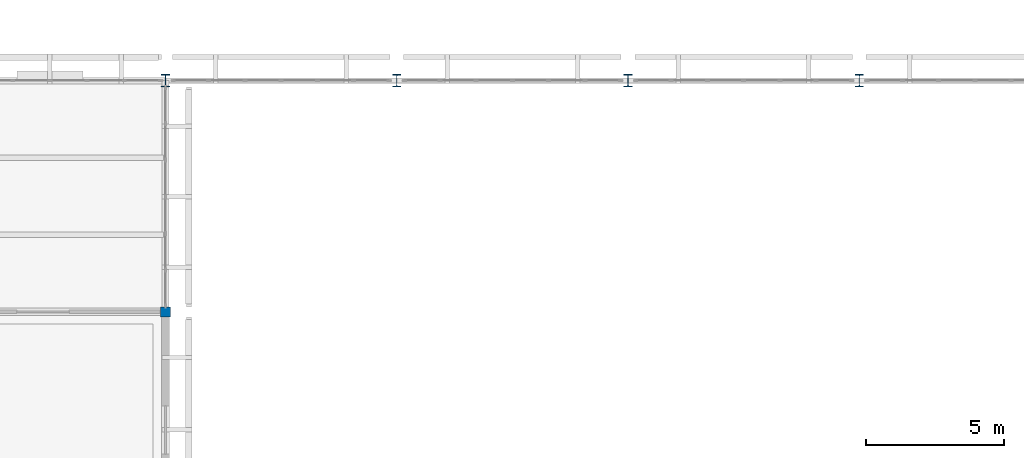
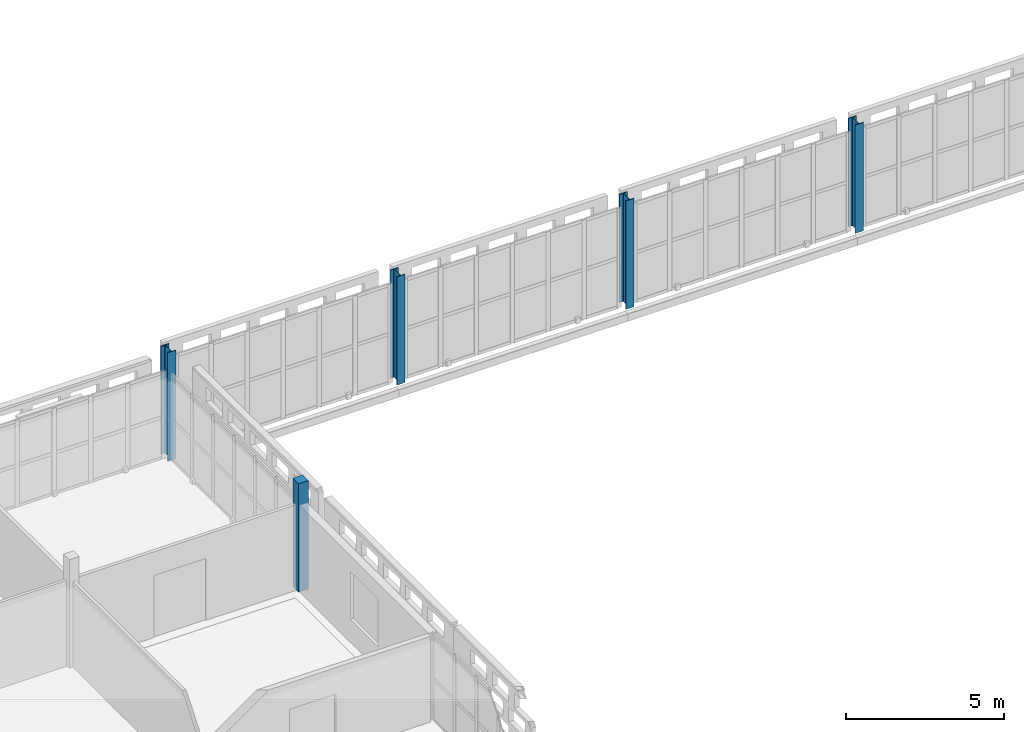
# One storey, part 7 of 140: 5 columns.
"""IFC4 building model written with IfcOpenShell, lengths in metres."""

import ifcopenshell
import ifcopenshell.guid

model = None  # the IFC model being written
_history = None  # IfcOwnerHistory: only IFC2X3 demands one
_inside = {}  # id of a spatial element -> (the spatial element, [elements in it])
_under = {}  # id of a project, library or spatial element -> (it, [spatial elements below it])
_declared = {}  # id of a project -> (the project, [libraries it declares])
_typed = {}  # id of a type object -> (the type object, [elements of that type])
_made_of = {}  # id of a material, layer set ... -> (it, [elements and type objects made of it])


def new_model(schema):
    """Start an empty IFC model of exactly this schema.

    Asked for "IFC4X3", IfcOpenShell would pick the latest addendum, in which some entities
    have other attributes; the version numbers below select the first issue.
    IFC2X3 requires an IfcOwnerHistory on every rooted entity: one is made here for all.
    """
    global model, _history
    if schema == "IFC4X3":
        model = ifcopenshell.file(schema_version=(4, 3, 0, 0))
    else:
        model = ifcopenshell.file(schema=schema)
    _inside.clear()
    _under.clear()
    _declared.clear()
    _typed.clear()
    _made_of.clear()
    _history = None
    if model.schema == "IFC2X3":
        org = make("IfcOrganization", Name="unknown")
        user = make(
            "IfcPersonAndOrganization",
            ThePerson=make("IfcPerson", FamilyName="unknown"),
            TheOrganization=org,
        )
        app = make(
            "IfcApplication",
            ApplicationDeveloper=org,
            Version="unknown",
            ApplicationFullName="unknown",
            ApplicationIdentifier="unknown",
        )
        _history = make(
            "IfcOwnerHistory",
            OwningUser=user,
            OwningApplication=app,
            ChangeAction="ADDED",
            CreationDate=0,
        )
    return model


def make(cls, **values):
    """One entity of the class cls with the attributes given. An attribute that is None is left unset."""
    return model.create_entity(
        cls, **{name: value for name, value in values.items() if value is not None}
    )


def rooted(cls, **values):
    """An entity with a GlobalId (a new one), such as an element, a storey or a relation."""
    return make(cls, GlobalId=ifcopenshell.guid.new(), OwnerHistory=_history, **values)


def si_unit(unit_type, name, prefix=None):
    """IfcSIUnit, for example si_unit("LENGTHUNIT", "METRE", prefix="MILLI")."""
    return make("IfcSIUnit", UnitType=unit_type, Prefix=prefix, Name=name)


def assignment(units):
    """IfcUnitAssignment: the units of a project."""
    return None if units is None else make("IfcUnitAssignment", Units=units)


def point(xyz):
    """IfcCartesianPoint."""
    return None if xyz is None else make("IfcCartesianPoint", Coordinates=xyz)


def direction(xyz):
    """IfcDirection."""
    return None if xyz is None else make("IfcDirection", DirectionRatios=xyz)


def frame(location, z_axis=None, x_axis=None):
    """IfcAxis2Placement3D, a coordinate frame: its origin and axes. An axis left out is left unset."""
    return make(
        "IfcAxis2Placement3D",
        Location=point(location),
        Axis=direction(z_axis),
        RefDirection=direction(x_axis),
    )


def frame_2d(location, x_axis=None):
    """IfcAxis2Placement2D, a coordinate frame in the plane: its origin and x axis."""
    return make(
        "IfcAxis2Placement2D", Location=point(location), RefDirection=direction(x_axis)
    )


def origin():
    """The frame at (0, 0, 0) with its axes left unset."""
    return frame((0.0, 0.0, 0.0))


def origin_2d():
    """The frame at (0, 0) in the plane with its x axis left unset."""
    return frame_2d((0.0, 0.0))


def place(relative_to, where):
    """IfcLocalPlacement: puts the frame where relative to a parent placement (None: the world)."""
    return make(
        "IfcLocalPlacement", PlacementRelTo=relative_to, RelativePlacement=where
    )


def context(
    kind, dimensions, precision=None, world=None, true_north=None, identifier=None
):
    """IfcGeometricRepresentationContext, for example the 3D "Model" context."""
    return make(
        "IfcGeometricRepresentationContext",
        ContextIdentifier=identifier,
        ContextType=kind,
        CoordinateSpaceDimension=dimensions,
        Precision=precision,
        WorldCoordinateSystem=world,
        TrueNorth=true_north,
    )


def subcontext(parent, identifier, kind, view, scale=None):
    """IfcGeometricRepresentationSubContext, for example "Body" below "Model"."""
    return make(
        "IfcGeometricRepresentationSubContext",
        ContextIdentifier=identifier,
        ContextType=kind,
        ParentContext=parent,
        TargetScale=scale,
        TargetView=view,
    )


def project(units=None, contexts=None):
    """IfcProject with its units and contexts."""
    return rooted(
        "IfcProject",
        Name="project",
        RepresentationContexts=contexts,
        UnitsInContext=assignment(units),
    )


def spatial(cls, under=None, at=None, **own):
    """A site, building, storey or space (cls), placed at a placement, below another one or the project."""
    s = rooted(cls, ObjectPlacement=at, **own)
    if under is not None:
        _under.setdefault(under.id(), (under, []))[1].append(s)
    return s


def profile(cls, at=None, kind="AREA", **sizes):
    """A parametric profile (cls). Its sizes go by their IFC names, for example OverallWidth=200.0."""
    return make(cls, ProfileType=kind, Position=at, **sizes)


def rectangle(**sizes):
    """IfcRectangleProfileDef."""
    return profile("IfcRectangleProfileDef", **sizes)


def i_section(**sizes):
    """IfcIShapeProfileDef."""
    return profile("IfcIShapeProfileDef", **sizes)


def extrude(swept, where, along, depth):
    """IfcExtrudedAreaSolid: the profile swept, set in the frame where, extruded along a direction by depth."""
    return make(
        "IfcExtrudedAreaSolid",
        SweptArea=swept,
        Position=where,
        ExtrudedDirection=direction(along),
        Depth=depth,
    )


def shape(context_of_items, identifier, shape_type, items):
    """IfcShapeRepresentation: the items that make up one representation, for example the "Body"."""
    return make(
        "IfcShapeRepresentation",
        ContextOfItems=context_of_items,
        RepresentationIdentifier=identifier,
        RepresentationType=shape_type,
        Items=items,
    )


def material(Name=None, Category=None):
    """IfcMaterial."""
    return make("IfcMaterial", Name=Name, Category=Category)


def material_profile(
    of_material, cross_section, Name=None, Category=None, Priority=None
):
    """IfcMaterialProfile: a cross section and its material."""
    return make(
        "IfcMaterialProfile",
        Name=Name,
        Material=of_material,
        Profile=cross_section,
        Priority=Priority,
        Category=Category,
    )


def profile_set(profiles, Name=None, composite=None):
    """IfcMaterialProfileSet."""
    return make(
        "IfcMaterialProfileSet",
        Name=Name,
        MaterialProfiles=profiles,
        CompositeProfile=composite,
    )


def made_of(thing, what):
    """Note that an element or type object is made of a material, layer set ...; save() writes the relation."""
    if what is not None:
        _made_of.setdefault(what.id(), (what, []))[1].append(thing)
    return thing


def type_object(cls, material=None, **own):
    """A type object (cls), such as IfcWallType, which elements share."""
    return made_of(rooted(cls, **own), material)


def element(
    cls,
    number,
    at=None,
    inside=None,
    cuts=None,
    type_object=None,
    material=None,
    context=None,
    identifier="Body",
    shape_type=None,
    held_by="IfcProductDefinitionShape",
    body=None,
    shapes=None,
    **own,
):
    """One element of the class cls, such as IfcWall. Its Tag is "e" and its number.

    at: its placement. inside: the storey or other place that contains it. cuts: it is an
    opening in that element (IfcRelVoidsElement). A single representation is given by context,
    identifier, shape_type and body (its items); several are given by shapes. held_by: the class
    of the entity that holds the representations. save() writes the other relations.
    """
    e = rooted(cls, Tag="e%d" % number, ObjectPlacement=at, **own)
    if body is not None:
        shapes = [shape(context, identifier, shape_type, body)]
    if shapes is not None:
        e.Representation = make(held_by, Representations=shapes)
    if inside is not None:
        _inside.setdefault(inside.id(), (inside, []))[1].append(e)
    if cuts is not None:
        rooted(
            "IfcRelVoidsElement", RelatingBuildingElement=cuts, RelatedOpeningElement=e
        )
    if type_object is not None:
        _typed.setdefault(type_object.id(), (type_object, []))[1].append(e)
    return made_of(e, material)


def aggregate(whole, parts):
    """IfcRelAggregates: a whole, such as a stair, and the parts it consists of."""
    return rooted("IfcRelAggregates", RelatingObject=whole, RelatedObjects=parts)


def save(model, path):
    """Write the relations noted so far, then the file.

    IfcRelAggregates (storeys below a building ...), IfcRelContainedInSpatialStructure (elements
    in a storey), IfcRelDefinesByType, IfcRelAssociatesMaterial and IfcRelDeclares: one each for
    every whole, place, type object, material and project.
    """
    for whole, parts in _under.values():
        aggregate(whole, parts)
    for where, things in _inside.values():
        rooted(
            "IfcRelContainedInSpatialStructure",
            RelatedElements=things,
            RelatingStructure=where,
        )
    for kind, things in _typed.values():
        rooted("IfcRelDefinesByType", RelatedObjects=things, RelatingType=kind)
    for what, things in _made_of.values():
        rooted("IfcRelAssociatesMaterial", RelatedObjects=things, RelatingMaterial=what)
    for by, libraries in _declared.values():
        rooted("IfcRelDeclares", RelatingContext=by, RelatedDefinitions=libraries)
    model.write(path)


model = new_model("IFC4")

# Units and contexts
model_context = context("Model", 3, precision=1e-05, world=origin(), true_north=direction((0.0, 1.0)))
body_context = subcontext(model_context, "Body", "Model", "MODEL_VIEW")
ifc_project = project(units=[si_unit("LENGTHUNIT", "METRE"), si_unit("AREAUNIT", "SQUARE_METRE"), si_unit("VOLUMEUNIT", "CUBIC_METRE"), si_unit("PLANEANGLEUNIT", "RADIAN"), si_unit("MASSUNIT", "GRAM", prefix="KILO")], contexts=[model_context])

# Site, building, storey
site_placement = place(None, origin())
site = spatial("IfcSite", under=ifc_project, at=site_placement, CompositionType="ELEMENT")
building_placement = place(site_placement, origin())
building = spatial("IfcBuilding", under=site, at=building_placement, Name="Varnapada Polytechnic", CompositionType="ELEMENT")
storey_placement = place(building_placement, frame((0.0, 0.0, 13.800048828125)))
storey = spatial("IfcBuildingStorey", under=building, at=storey_placement, Name="L03", CompositionType="ELEMENT", Elevation=13.800048828125)

# Columns
ifc_material_1 = material(Name="Steel S355", Category="steel")
ifc_material_profile_1 = material_profile(ifc_material_1, i_section(OverallWidth=0.300048828125, OverallDepth=0.449951171875, WebThickness=0.013916015625, FlangeThickness=0.02587890625, FilletRadius=0.027099609375, at=origin_2d()), Name="HEB 450")
ifc_profile_set_1 = profile_set([ifc_material_profile_1], Name="Steel S355")
column_type_1 = type_object("IfcColumnType", Name="Column C-07 (HEB 450)", PredefinedType="COLUMN", material=ifc_profile_set_1)
for number, where, z_axis, x_axis, name in (
    (1, (67.199951171875, 126.0, 0.0), (0.0, 0.0, 1.0), (1.0, 0.0, 0.0), "L03 column 9/16"),
    (2, (75.60009765625, 126.0, 0.0), (0.0, 0.0, 1.0), (1.0, 0.0, 0.0), "L03 column 10/16"),
    (3, (84.0, 126.0, 0.0), (0.0, 0.0, 1.0), (1.0, 0.0, 0.0), "L03 column 11/16"),
    (4, (92.39990234375, 126.0, 0.0), (0.0, 0.0, 1.0), (1.0, 0.0, 0.0), "L03 column 12/16"),
):
    element("IfcColumn", number, at=place(storey_placement, frame(where, z_axis=z_axis, x_axis=x_axis)), inside=storey, type_object=column_type_1, Name=name, PredefinedType="COLUMN", context=body_context, shape_type="SweptSolid", body=[
        extrude(i_section(OverallWidth=0.300048828125, OverallDepth=0.449951171875, WebThickness=0.013916015625, FlangeThickness=0.02587890625, FilletRadius=0.027099609375, at=origin_2d()), origin(), (0.0, 0.0, 1.0), 4.199951171875),
    ])
ifc_material_2 = material(Name="Glulam GL32h", Category="wood")
ifc_material_profile_2 = material_profile(ifc_material_2, rectangle(XDim=0.360107421875, YDim=0.360107421875, at=origin_2d()), Name="GL 360x360")
ifc_profile_set_2 = profile_set([ifc_material_profile_2], Name="Glulam GL32h")
column_type_2 = type_object("IfcColumnType", Name="Column C-14 (GL 360x360)", PredefinedType="COLUMN", material=ifc_profile_set_2)
column_placement = place(storey_placement, frame((67.199951171875, 117.60009765625, 0.0), z_axis=(0.0, 0.0, 1.0), x_axis=(1.0, 0.0, 0.0)))
element("IfcColumn", 5, at=column_placement, inside=storey, type_object=column_type_2, Name="L03 column 9/15", PredefinedType="COLUMN", context=body_context, shape_type="SweptSolid", body=[
    extrude(rectangle(XDim=0.360107421875, YDim=0.360107421875, at=origin_2d()), origin(), (0.0, 0.0, 1.0), 4.199951171875),
])

save(model, "model.ifc")
